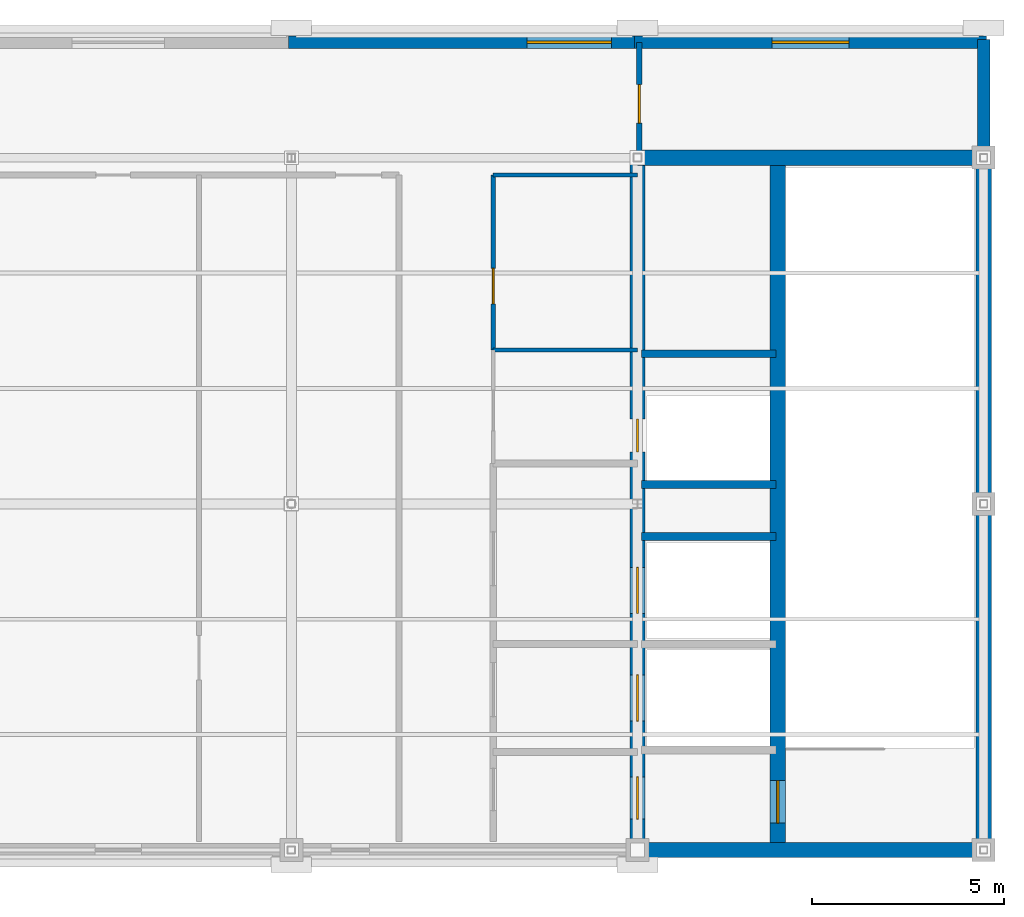
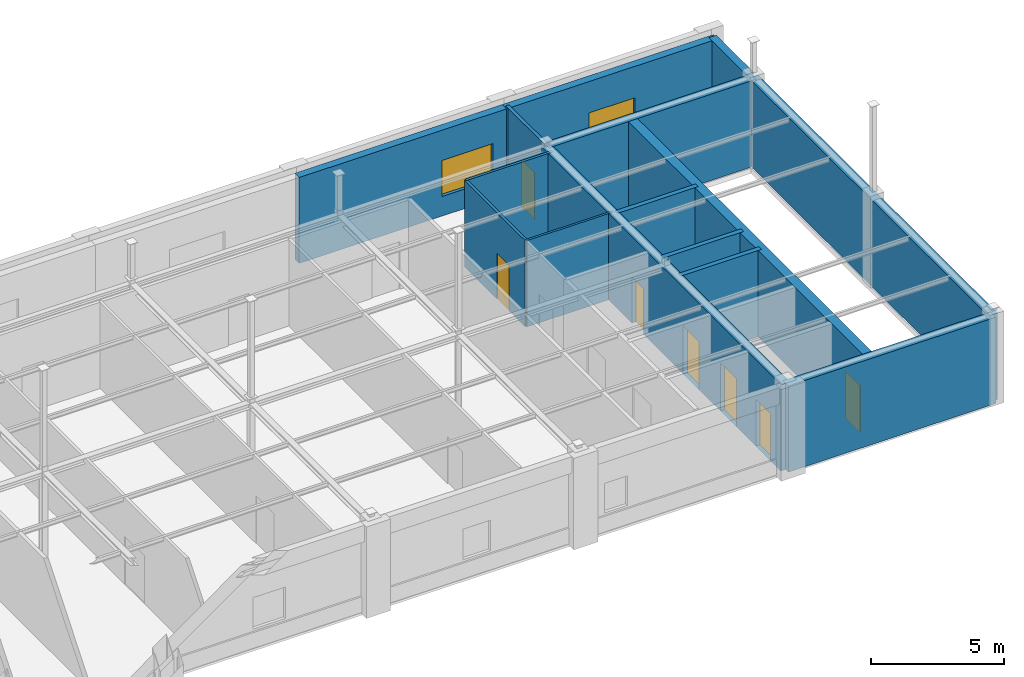
# One storey, part 12 of 13: 15 walls, 7 doors, 2 windows, 9 openings.
"""IFC4 building model written with IfcOpenShell, lengths in metres."""

import ifcopenshell
import ifcopenshell.guid

model = None  # the IFC model being written
_history = None  # IfcOwnerHistory: only IFC2X3 demands one
_inside = {}  # id of a spatial element -> (the spatial element, [elements in it])
_under = {}  # id of a project, library or spatial element -> (it, [spatial elements below it])
_declared = {}  # id of a project -> (the project, [libraries it declares])
_typed = {}  # id of a type object -> (the type object, [elements of that type])
_made_of = {}  # id of a material, layer set ... -> (it, [elements and type objects made of it])


def new_model(schema):
    """Start an empty IFC model of exactly this schema.

    Asked for "IFC4X3", IfcOpenShell would pick the latest addendum, in which some entities
    have other attributes; the version numbers below select the first issue.
    IFC2X3 requires an IfcOwnerHistory on every rooted entity: one is made here for all.
    """
    global model, _history
    if schema == "IFC4X3":
        model = ifcopenshell.file(schema_version=(4, 3, 0, 0))
    else:
        model = ifcopenshell.file(schema=schema)
    _inside.clear()
    _under.clear()
    _declared.clear()
    _typed.clear()
    _made_of.clear()
    _history = None
    if model.schema == "IFC2X3":
        org = make("IfcOrganization", Name="unknown")
        user = make(
            "IfcPersonAndOrganization",
            ThePerson=make("IfcPerson", FamilyName="unknown"),
            TheOrganization=org,
        )
        app = make(
            "IfcApplication",
            ApplicationDeveloper=org,
            Version="unknown",
            ApplicationFullName="unknown",
            ApplicationIdentifier="unknown",
        )
        _history = make(
            "IfcOwnerHistory",
            OwningUser=user,
            OwningApplication=app,
            ChangeAction="ADDED",
            CreationDate=0,
        )
    return model


def make(cls, **values):
    """One entity of the class cls with the attributes given. An attribute that is None is left unset."""
    return model.create_entity(
        cls, **{name: value for name, value in values.items() if value is not None}
    )


def rooted(cls, **values):
    """An entity with a GlobalId (a new one), such as an element, a storey or a relation."""
    return make(cls, GlobalId=ifcopenshell.guid.new(), OwnerHistory=_history, **values)


def si_unit(unit_type, name, prefix=None):
    """IfcSIUnit, for example si_unit("LENGTHUNIT", "METRE", prefix="MILLI")."""
    return make("IfcSIUnit", UnitType=unit_type, Prefix=prefix, Name=name)


def assignment(units):
    """IfcUnitAssignment: the units of a project."""
    return None if units is None else make("IfcUnitAssignment", Units=units)


def point(xyz):
    """IfcCartesianPoint."""
    return None if xyz is None else make("IfcCartesianPoint", Coordinates=xyz)


def direction(xyz):
    """IfcDirection."""
    return None if xyz is None else make("IfcDirection", DirectionRatios=xyz)


def frame(location, z_axis=None, x_axis=None):
    """IfcAxis2Placement3D, a coordinate frame: its origin and axes. An axis left out is left unset."""
    return make(
        "IfcAxis2Placement3D",
        Location=point(location),
        Axis=direction(z_axis),
        RefDirection=direction(x_axis),
    )


def frame_2d(location, x_axis=None):
    """IfcAxis2Placement2D, a coordinate frame in the plane: its origin and x axis."""
    return make(
        "IfcAxis2Placement2D", Location=point(location), RefDirection=direction(x_axis)
    )


def origin():
    """The frame at (0, 0, 0) with its axes left unset."""
    return frame((0.0, 0.0, 0.0))


def place(relative_to, where):
    """IfcLocalPlacement: puts the frame where relative to a parent placement (None: the world)."""
    return make(
        "IfcLocalPlacement", PlacementRelTo=relative_to, RelativePlacement=where
    )


def context(
    kind, dimensions, precision=None, world=None, true_north=None, identifier=None
):
    """IfcGeometricRepresentationContext, for example the 3D "Model" context."""
    return make(
        "IfcGeometricRepresentationContext",
        ContextIdentifier=identifier,
        ContextType=kind,
        CoordinateSpaceDimension=dimensions,
        Precision=precision,
        WorldCoordinateSystem=world,
        TrueNorth=true_north,
    )


def subcontext(parent, identifier, kind, view, scale=None):
    """IfcGeometricRepresentationSubContext, for example "Body" below "Model"."""
    return make(
        "IfcGeometricRepresentationSubContext",
        ContextIdentifier=identifier,
        ContextType=kind,
        ParentContext=parent,
        TargetScale=scale,
        TargetView=view,
    )


def project(units=None, contexts=None):
    """IfcProject with its units and contexts."""
    return rooted(
        "IfcProject",
        Name="project",
        RepresentationContexts=contexts,
        UnitsInContext=assignment(units),
    )


def spatial(cls, under=None, at=None, **own):
    """A site, building, storey or space (cls), placed at a placement, below another one or the project."""
    s = rooted(cls, ObjectPlacement=at, **own)
    if under is not None:
        _under.setdefault(under.id(), (under, []))[1].append(s)
    return s


def profile(cls, at=None, kind="AREA", **sizes):
    """A parametric profile (cls). Its sizes go by their IFC names, for example OverallWidth=200.0."""
    return make(cls, ProfileType=kind, Position=at, **sizes)


def rectangle(**sizes):
    """IfcRectangleProfileDef."""
    return profile("IfcRectangleProfileDef", **sizes)


def extrude(swept, where, along, depth):
    """IfcExtrudedAreaSolid: the profile swept, set in the frame where, extruded along a direction by depth."""
    return make(
        "IfcExtrudedAreaSolid",
        SweptArea=swept,
        Position=where,
        ExtrudedDirection=direction(along),
        Depth=depth,
    )


def shape(context_of_items, identifier, shape_type, items):
    """IfcShapeRepresentation: the items that make up one representation, for example the "Body"."""
    return make(
        "IfcShapeRepresentation",
        ContextOfItems=context_of_items,
        RepresentationIdentifier=identifier,
        RepresentationType=shape_type,
        Items=items,
    )


def material(Name=None, Category=None):
    """IfcMaterial."""
    return make("IfcMaterial", Name=Name, Category=Category)


def layer(
    of_material, thickness, ventilated=None, Name=None, Category=None, Priority=None
):
    """IfcMaterialLayer: one layer of a wall or slab, of a material (None: an air gap)."""
    return make(
        "IfcMaterialLayer",
        Material=of_material,
        LayerThickness=thickness,
        IsVentilated=ventilated,
        Name=Name,
        Category=Category,
        Priority=Priority,
    )


def layer_set(layers, Name=None):
    """IfcMaterialLayerSet."""
    return make("IfcMaterialLayerSet", MaterialLayers=layers, LayerSetName=Name)


def made_of(thing, what):
    """Note that an element or type object is made of a material, layer set ...; save() writes the relation."""
    if what is not None:
        _made_of.setdefault(what.id(), (what, []))[1].append(thing)
    return thing


def type_object(cls, material=None, **own):
    """A type object (cls), such as IfcWallType, which elements share."""
    return made_of(rooted(cls, **own), material)


def element(
    cls,
    number,
    at=None,
    inside=None,
    cuts=None,
    type_object=None,
    material=None,
    context=None,
    identifier="Body",
    shape_type=None,
    held_by="IfcProductDefinitionShape",
    body=None,
    shapes=None,
    **own,
):
    """One element of the class cls, such as IfcWall. Its Tag is "e" and its number.

    at: its placement. inside: the storey or other place that contains it. cuts: it is an
    opening in that element (IfcRelVoidsElement). A single representation is given by context,
    identifier, shape_type and body (its items); several are given by shapes. held_by: the class
    of the entity that holds the representations. save() writes the other relations.
    """
    e = rooted(cls, Tag="e%d" % number, ObjectPlacement=at, **own)
    if body is not None:
        shapes = [shape(context, identifier, shape_type, body)]
    if shapes is not None:
        e.Representation = make(held_by, Representations=shapes)
    if inside is not None:
        _inside.setdefault(inside.id(), (inside, []))[1].append(e)
    if cuts is not None:
        rooted(
            "IfcRelVoidsElement", RelatingBuildingElement=cuts, RelatedOpeningElement=e
        )
    if type_object is not None:
        _typed.setdefault(type_object.id(), (type_object, []))[1].append(e)
    return made_of(e, material)


def fill(opening, filler):
    """IfcRelFillsElement: the door or window that sits in an opening."""
    return rooted(
        "IfcRelFillsElement",
        RelatingOpeningElement=opening,
        RelatedBuildingElement=filler,
    )


def aggregate(whole, parts):
    """IfcRelAggregates: a whole, such as a stair, and the parts it consists of."""
    return rooted("IfcRelAggregates", RelatingObject=whole, RelatedObjects=parts)


def save(model, path):
    """Write the relations noted so far, then the file.

    IfcRelAggregates (storeys below a building ...), IfcRelContainedInSpatialStructure (elements
    in a storey), IfcRelDefinesByType, IfcRelAssociatesMaterial and IfcRelDeclares: one each for
    every whole, place, type object, material and project.
    """
    for whole, parts in _under.values():
        aggregate(whole, parts)
    for where, things in _inside.values():
        rooted(
            "IfcRelContainedInSpatialStructure",
            RelatedElements=things,
            RelatingStructure=where,
        )
    for kind, things in _typed.values():
        rooted("IfcRelDefinesByType", RelatedObjects=things, RelatingType=kind)
    for what, things in _made_of.values():
        rooted("IfcRelAssociatesMaterial", RelatedObjects=things, RelatingMaterial=what)
    for by, libraries in _declared.values():
        rooted("IfcRelDeclares", RelatingContext=by, RelatedDefinitions=libraries)
    model.write(path)


model = new_model("IFC4")

# Units and contexts
model_context = context("Model", 3, precision=1e-05, world=origin(), true_north=direction((0.0, 1.0)))
body_context = subcontext(model_context, "Body", "Model", "MODEL_VIEW")
ifc_project = project(units=[si_unit("LENGTHUNIT", "METRE"), si_unit("AREAUNIT", "SQUARE_METRE"), si_unit("VOLUMEUNIT", "CUBIC_METRE"), si_unit("PLANEANGLEUNIT", "RADIAN"), si_unit("MASSUNIT", "GRAM", prefix="KILO")], contexts=[model_context])

# Site, building, storey
site_placement = place(None, origin())
site = spatial("IfcSite", under=ifc_project, at=site_placement, CompositionType="ELEMENT")
building_placement = place(site_placement, origin())
building = spatial("IfcBuilding", under=site, at=building_placement, Name="Lykobir Media Centre", CompositionType="ELEMENT")
storey_placement = place(building_placement, frame((0.0, 0.0, 36.0)))
storey = spatial("IfcBuildingStorey", under=building, at=storey_placement, Name="L08", CompositionType="ELEMENT", Elevation=36.0)

# Wall
ifc_material_1 = material(Name="Architectural Ochre Brick", Category="masonry")
ifc_layer_1 = layer(ifc_material_1, 0.330078125, Name="Architectural Ochre Brick")
ifc_layer_set_1 = layer_set([ifc_layer_1], Name="Architectural Ochre Brick")
wall_type_1 = type_object("IfcWallType", Name="EW-BRK-330", PredefinedType="STANDARD", material=ifc_layer_set_1)
wall_1_placement = place(storey_placement, frame((81.0, 18.284912109375, 0.0), z_axis=(0.0, 0.0, 1.0), x_axis=(0.0, 1.0, 0.0)))
element("IfcWall", 1, at=wall_1_placement, inside=storey, type_object=wall_type_1, Name="Exterior wall WALL-L08-0372", PredefinedType="STANDARD", context=body_context, shape_type="SweptSolid", body=[
    extrude(rectangle(XDim=2.7900390625, YDim=0.330078125, at=frame_2d((1.39501953125, 0.0))), origin(), (0.0, 0.0, 1.0), 3.93994140625),
])

# Wall, opening, window
wall_2_placement = place(storey_placement, frame((72.074951171875, 21.0, 0.0), z_axis=(0.0, 0.0, 1.0), x_axis=(-1.0, 0.0, 0.0)))
wall_2 = element("IfcWall", 2, at=wall_2_placement, inside=storey, type_object=wall_type_1, Name="Exterior wall WALL-L08-0377", PredefinedType="STANDARD", context=body_context, shape_type="SweptSolid", body=[
    extrude(rectangle(XDim=9.14990234375, YDim=0.330078125, at=frame_2d((4.574951171875, 0.0))), origin(), (0.0, 0.0, 1.0), 3.93994140625),
])
opening_1_placement = place(wall_2_placement, frame((0.75, 0.0, 0.89990234375)))
opening_1 = element("IfcOpeningElement", 3, at=opening_1_placement, cuts=wall_2, Name="Opening WN-2200x1650", PredefinedType="OPENING", context=body_context, shape_type="SweptSolid", body=[
    extrude(rectangle(XDim=2.199951171875, YDim=1.64990234375, at=frame_2d((1.10009765625, 0.824951171875))), frame((0.0, 0.175048828125, 0.0), z_axis=(0.0, -1.0, 0.0), x_axis=(1.0, 0.0, 0.0)), (0.0, 0.0, 1.0), 0.35009765625),
])
ifc_material_2 = material(Name="Low-E Laminated Triple Glazing", Category="glass")
window_type_1 = type_object("IfcWindowType", Name="WN-2200x1650", PartitioningType="SINGLE_PANEL", PredefinedType="WINDOW", material=ifc_material_2)
window_1_placement = place(opening_1_placement, origin())
window_1 = element("IfcWindow", 4, at=window_1_placement, inside=storey, type_object=window_type_1, Name="Window WIN-L08-0177", OverallHeight=1.64990234375, OverallWidth=2.199951171875, PartitioningType="SINGLE_PANEL", PredefinedType="WINDOW", context=body_context, shape_type="SweptSolid", body=[
    extrude(rectangle(XDim=2.199951171875, YDim=1.64990234375, at=frame_2d((1.10009765625, 0.824951171875))), frame((0.0, 0.030029296875, 0.0), z_axis=(0.0, -1.0, 0.0), x_axis=(1.0, 0.0, 0.0)), (0.0, 0.0, 1.0), 0.06005859375),
])
fill(opening_1, window_1)

wall_3_placement = place(storey_placement, frame((81.074951171875, 21.0, 0.0), z_axis=(0.0, 0.0, 1.0), x_axis=(-1.0, 0.0, 0.0)))
wall_3 = element("IfcWall", 5, at=wall_3_placement, inside=storey, type_object=wall_type_1, Name="Exterior wall WALL-L08-0378", PredefinedType="STANDARD", context=body_context, shape_type="SweptSolid", body=[
    extrude(rectangle(XDim=9.14990234375, YDim=0.330078125, at=frame_2d((4.574951171875, 0.0))), origin(), (0.0, 0.0, 1.0), 3.93994140625),
])
opening_2_placement = place(wall_3_placement, frame((3.574951171875, 0.0, 0.89990234375)))
opening_2 = element("IfcOpeningElement", 6, at=opening_2_placement, cuts=wall_3, Name="Opening WN-2000x1600", PredefinedType="OPENING", context=body_context, shape_type="SweptSolid", body=[
    extrude(rectangle(XDim=2.0, YDim=1.60009765625, at=frame_2d((1.0, 0.800048828125))), frame((0.0, 0.175048828125, 0.0), z_axis=(0.0, -1.0, 0.0), x_axis=(1.0, 0.0, 0.0)), (0.0, 0.0, 1.0), 0.35009765625),
])
window_type_2 = type_object("IfcWindowType", Name="WN-2000x1600", PartitioningType="SINGLE_PANEL", PredefinedType="WINDOW", material=ifc_material_2)
window_2_placement = place(opening_2_placement, origin())
window_2 = element("IfcWindow", 7, at=window_2_placement, inside=storey, type_object=window_type_2, Name="Window WIN-L08-0178", OverallHeight=1.60009765625, OverallWidth=2.0, PartitioningType="SINGLE_PANEL", PredefinedType="WINDOW", context=body_context, shape_type="SweptSolid", body=[
    extrude(rectangle(XDim=2.0, YDim=1.60009765625, at=frame_2d((1.0, 0.800048828125))), frame((0.0, 0.030029296875, 0.0), z_axis=(0.0, -1.0, 0.0), x_axis=(1.0, 0.0, 0.0)), (0.0, 0.0, 1.0), 0.06005859375),
])
fill(opening_2, window_2)

# Wall, opening, door
ifc_material_3 = material(Name="Acoustic Gypsum Board", Category="gypsum")
ifc_layer_2 = layer(ifc_material_3, 0.14501953125, Name="Acoustic Gypsum Board")
ifc_layer_set_2 = layer_set([ifc_layer_2], Name="Acoustic Gypsum Board")
wall_type_2 = type_object("IfcWallType", Name="IW-COR-145", PredefinedType="PARTITIONING", material=ifc_layer_set_2)
wall_4_placement = place(storey_placement, frame((72.050048828125, 18.0, 0.0), z_axis=(0.0, 0.0, 1.0), x_axis=(0.0, 1.0, 0.0)))
wall_4 = element("IfcWall", 8, at=wall_4_placement, inside=storey, type_object=wall_type_2, Name="Wall IWALL-L08-0797", PredefinedType="PARTITIONING", context=body_context, shape_type="SweptSolid", body=[
    extrude(rectangle(XDim=3.0, YDim=0.14501953125, at=frame_2d((1.5, 0.0))), origin(), (0.0, 0.0, 1.0), 3.9599609375),
])
opening_3_placement = place(wall_4_placement, frame((0.89990234375, 0.0, 0.0)))
opening_3 = element("IfcOpeningElement", 9, at=opening_3_placement, cuts=wall_4, Name="Opening D-L08-ENDE", PredefinedType="OPENING", context=body_context, shape_type="SweptSolid", body=[
    extrude(rectangle(XDim=1.0, YDim=2.139892578125, at=frame_2d((0.5, 1.06982421875))), frame((0.0, 0.08251953125, 0.0), z_axis=(0.0, -1.0, 0.0), x_axis=(1.0, 0.0, 0.0)), (0.0, 0.0, 1.0), 0.1650390625),
])
ifc_material_4 = material(Name="Acoustic Timber Panelling", Category="wood")
door_type_1 = type_object("IfcDoorType", Name="FD-1000x2140", OperationType="NOTDEFINED", PredefinedType="DOOR", material=ifc_material_4)
door_1_placement = place(opening_3_placement, origin())
door_1 = element("IfcDoor", 10, at=door_1_placement, inside=storey, type_object=door_type_1, Name="Door D-L08-ENDE", OperationType="SINGLE_SWING_LEFT", OverallHeight=2.139892578125, OverallWidth=1.0, PredefinedType="DOOR", context=body_context, shape_type="SweptSolid", body=[
    extrude(rectangle(XDim=1.0, YDim=2.139892578125, at=frame_2d((0.5, 1.06982421875))), frame((0.0, 0.02490234375, 0.0), z_axis=(0.0, -1.0, 0.0), x_axis=(1.0, 0.0, 0.0)), (0.0, 0.0, 1.0), 0.050048828125),
])
fill(opening_3, door_1)

ifc_layer_3 = layer(ifc_material_3, 0.110107421875, Name="Acoustic Gypsum Board")
ifc_layer_set_3 = layer_set([ifc_layer_3], Name="Acoustic Gypsum Board")
wall_type_3 = type_object("IfcWallType", Name="IW-RM-110", PredefinedType="PARTITIONING", material=ifc_layer_set_3)
wall_5_placement = place(storey_placement, frame((68.25, 13.0, 0.0), z_axis=(0.0, 0.0, 1.0), x_axis=(0.0, 1.0, 0.0)))
wall_5 = element("IfcWall", 11, at=wall_5_placement, inside=storey, type_object=wall_type_3, Name="Wall IWALL-L08-0798", PredefinedType="PARTITIONING", context=body_context, shape_type="SweptSolid", body=[
    extrude(rectangle(XDim=4.550048828125, YDim=0.110107421875, at=frame_2d((2.27490234375, 0.0))), origin(), (0.0, 0.0, 1.0), 3.9599609375),
])
opening_4_placement = place(wall_5_placement, frame((1.199951171875, 0.0, 0.0)))
opening_4 = element("IfcOpeningElement", 12, at=opening_4_placement, cuts=wall_5, Name="Opening D-L08-UP5", PredefinedType="OPENING", context=body_context, shape_type="SweptSolid", body=[
    extrude(rectangle(XDim=0.919921875, YDim=2.10009765625, at=frame_2d((0.4599609375, 1.050048828125))), frame((0.0, 0.06494140625, 0.0), z_axis=(0.0, -1.0, 0.0), x_axis=(1.0, 0.0, 0.0)), (0.0, 0.0, 1.0), 0.130126953125),
])
door_type_2 = type_object("IfcDoorType", Name="ID-0920x2100", OperationType="NOTDEFINED", PredefinedType="DOOR", material=ifc_material_4)
door_2_placement = place(opening_4_placement, origin())
door_2 = element("IfcDoor", 13, at=door_2_placement, inside=storey, type_object=door_type_2, Name="Door D-L08-UP5", OperationType="SINGLE_SWING_RIGHT", OverallHeight=2.10009765625, OverallWidth=0.919921875, PredefinedType="DOOR", context=body_context, shape_type="SweptSolid", body=[
    extrude(rectangle(XDim=0.919921875, YDim=2.10009765625, at=frame_2d((0.4599609375, 1.050048828125))), frame((0.0, 0.02490234375, 0.0), z_axis=(0.0, -1.0, 0.0), x_axis=(1.0, 0.0, 0.0)), (0.0, 0.0, 1.0), 0.050048828125),
])
fill(opening_4, door_2)

# Walls
wall_6_placement = place(storey_placement, frame((68.25, 17.550048828125, 0.0), z_axis=(0.0, 0.0, 1.0), x_axis=(1.0, 0.0, 0.0)))
element("IfcWall", 14, at=wall_6_placement, inside=storey, type_object=wall_type_3, Name="Wall IWALL-L08-0799", PredefinedType="PARTITIONING", context=body_context, shape_type="SweptSolid", body=[
    extrude(rectangle(XDim=3.75, YDim=0.110107421875, at=frame_2d((1.875, 0.0))), origin(), (0.0, 0.0, 1.0), 3.9599609375),
])
ifc_material_5 = material(Name="Concrete C30/37", Category="concrete")
ifc_layer_4 = layer(ifc_material_5, 0.199951171875, Name="Concrete C30/37")
ifc_layer_set_4 = layer_set([ifc_layer_4], Name="Concrete C30/37")
wall_type_4 = type_object("IfcWallType", Name="IW-SHAFT-200", PredefinedType="PARTITIONING", material=ifc_layer_set_4)
for number, where, z_axis, x_axis, name in (
    (15, (72.10009765625, 8.14990234375, 0.0), (0.0, 0.0, 1.0), (1.0, 0.0, 0.0), "Wall IWALL-L08-0334"),
    (16, (72.10009765625, 9.5, 0.0), (0.0, 0.0, 1.0), (1.0, 0.0, 0.0), "Wall IWALL-L08-0335"),
    (17, (72.10009765625, 12.89990234375, 0.0), (0.0, 0.0, 1.0), (1.0, 0.0, 0.0), "Wall IWALL-L08-0336"),
):
    element("IfcWall", number, at=place(storey_placement, frame(where, z_axis=z_axis, x_axis=x_axis)), inside=storey, type_object=wall_type_4, Name=name, PredefinedType="PARTITIONING", context=body_context, shape_type="SweptSolid", body=[
        extrude(rectangle(XDim=3.5, YDim=0.199951171875, at=frame_2d((1.75, 0.0))), origin(), (0.0, 0.0, 1.0), 3.9599609375),
    ])
ifc_layer_5 = layer(ifc_material_3, 0.094970703125, Name="Acoustic Gypsum Board")
ifc_layer_set_5 = layer_set([ifc_layer_5], Name="Acoustic Gypsum Board")
wall_type_5 = type_object("IfcWallType", Name="IW-WC-095", PredefinedType="PARTITIONING", material=ifc_layer_set_5)
wall_7_placement = place(storey_placement, frame((68.25, 13.0, 0.0), z_axis=(0.0, 0.0, 1.0), x_axis=(1.0, 0.0, 0.0)))
element("IfcWall", 18, at=wall_7_placement, inside=storey, type_object=wall_type_5, Name="Wall IWALL-L08-0342", PredefinedType="PARTITIONING", context=body_context, shape_type="SweptSolid", body=[
    extrude(rectangle(XDim=3.75, YDim=0.094970703125, at=frame_2d((1.875, 0.0))), origin(), (0.0, 0.0, 1.0), 3.9599609375),
])

# Wall, openings, doors
ifc_material_6 = material(Name="Concrete C40/50", Category="concrete")
ifc_layer_6 = layer(ifc_material_6, 0.39990234375, Name="Concrete C40/50")
ifc_layer_set_6 = layer_set([ifc_layer_6], Name="Concrete C40/50")
wall_type_6 = type_object("IfcWallType", Name="SW-CORE-400", PredefinedType="SHEAR", material=ifc_layer_set_6)
wall_8_placement = place(storey_placement, frame((72.0, 18.0, 0.0), z_axis=(0.0, 0.0, 1.0), x_axis=(0.0, -1.0, 0.0)))
wall_8 = element("IfcWall", 19, at=wall_8_placement, inside=storey, type_object=wall_type_6, Name="Wall IWALL-L08-0330", PredefinedType="SHEAR", context=body_context, shape_type="SweptSolid", body=[
    extrude(rectangle(XDim=18.0, YDim=0.39990234375, at=frame_2d((9.0, 0.0))), origin(), (0.0, 0.0, 1.0), 3.9599609375),
])
opening_5_placement = place(wall_8_placement, frame((16.10009765625, 0.0, 0.0)))
opening_5 = element("IfcOpeningElement", 20, at=opening_5_placement, cuts=wall_8, Name="Opening D-L08-C2VB", PredefinedType="OPENING", context=body_context, shape_type="SweptSolid", body=[
    extrude(rectangle(XDim=1.10009765625, YDim=2.159912109375, at=frame_2d((0.550048828125, 1.080078125))), frame((0.0, 0.2099609375, 0.0), z_axis=(0.0, -1.0, 0.0), x_axis=(1.0, 0.0, 0.0)), (0.0, 0.0, 1.0), 0.419921875),
])
opening_6_placement = place(wall_8_placement, frame((13.449951171875, 0.0, 0.0)))
opening_6 = element("IfcOpeningElement", 21, at=opening_6_placement, cuts=wall_8, Name="Opening LD-L08-PL-2", PredefinedType="OPENING", context=body_context, shape_type="SweptSolid", body=[
    extrude(rectangle(XDim=1.199951171875, YDim=2.199951171875, at=frame_2d((0.60009765625, 1.10009765625))), frame((0.0, 0.2099609375, 0.0), z_axis=(0.0, -1.0, 0.0), x_axis=(1.0, 0.0, 0.0)), (0.0, 0.0, 1.0), 0.419921875),
])
opening_7_placement = place(wall_8_placement, frame((10.64990234375, 0.0, 0.0)))
opening_7 = element("IfcOpeningElement", 22, at=opening_7_placement, cuts=wall_8, Name="Opening LD-L08-FL-2", PredefinedType="OPENING", context=body_context, shape_type="SweptSolid", body=[
    extrude(rectangle(XDim=1.199951171875, YDim=2.199951171875, at=frame_2d((0.60009765625, 1.10009765625))), frame((0.0, 0.2099609375, 0.0), z_axis=(0.0, -1.0, 0.0), x_axis=(1.0, 0.0, 0.0)), (0.0, 0.0, 1.0), 0.419921875),
])
opening_8_placement = place(wall_8_placement, frame((6.800048828125, 0.0, 0.0)))
opening_8 = element("IfcOpeningElement", 23, at=opening_8_placement, cuts=wall_8, Name="Opening D-L08-C2RS", PredefinedType="OPENING", context=body_context, shape_type="SweptSolid", body=[
    extrude(rectangle(XDim=0.85009765625, YDim=2.10009765625, at=frame_2d((0.425048828125, 1.050048828125))), frame((0.0, 0.2099609375, 0.0), z_axis=(0.0, -1.0, 0.0), x_axis=(1.0, 0.0, 0.0)), (0.0, 0.0, 1.0), 0.419921875),
])
ifc_material_7 = material(Name="Anodized Aluminium AW-6060", Category="aluminium")
door_type_3 = type_object("IfcDoorType", Name="FD-0850x2100", OperationType="NOTDEFINED", PredefinedType="DOOR", material=ifc_material_7)
door_3_placement = place(opening_8_placement, origin())
door_3 = element("IfcDoor", 24, at=door_3_placement, inside=storey, type_object=door_type_3, Name="Riser access door C2 L08", OperationType="SINGLE_SWING_LEFT", OverallHeight=2.10009765625, OverallWidth=0.85009765625, PredefinedType="DOOR", context=body_context, shape_type="SweptSolid", body=[
    extrude(rectangle(XDim=0.85009765625, YDim=2.10009765625, at=frame_2d((0.425048828125, 1.050048828125))), frame((0.0, 0.02490234375, 0.0), z_axis=(0.0, -1.0, 0.0), x_axis=(1.0, 0.0, 0.0)), (0.0, 0.0, 1.0), 0.050048828125),
])
fill(opening_8, door_3)
door_type_4 = type_object("IfcDoorType", Name="FD-1100x2160", OperationType="NOTDEFINED", PredefinedType="DOOR", material=ifc_material_4)
door_4_placement = place(opening_5_placement, origin())
door_4 = element("IfcDoor", 25, at=door_4_placement, inside=storey, type_object=door_type_4, Name="Door D-L08-C2VB", OperationType="SINGLE_SWING_RIGHT", OverallHeight=2.159912109375, OverallWidth=1.10009765625, PredefinedType="DOOR", context=body_context, shape_type="SweptSolid", body=[
    extrude(rectangle(XDim=1.10009765625, YDim=2.159912109375, at=frame_2d((0.550048828125, 1.080078125))), frame((0.0, 0.02490234375, 0.0), z_axis=(0.0, -1.0, 0.0), x_axis=(1.0, 0.0, 0.0)), (0.0, 0.0, 1.0), 0.050048828125),
])
fill(opening_5, door_4)
door_type_5 = type_object("IfcDoorType", Name="LD-1200x2200", OperationType="NOTDEFINED", PredefinedType="DOOR", material=ifc_material_7)
door_5_placement = place(opening_6_placement, origin())
door_5 = element("IfcDoor", 26, at=door_5_placement, inside=storey, type_object=door_type_5, Name="Lift landing door PL-2 L08", OperationType="SLIDING_TO_LEFT", OverallHeight=2.199951171875, OverallWidth=1.199951171875, PredefinedType="DOOR", context=body_context, shape_type="SweptSolid", body=[
    extrude(rectangle(XDim=1.199951171875, YDim=2.199951171875, at=frame_2d((0.60009765625, 1.10009765625))), frame((0.0, 0.02490234375, 0.0), z_axis=(0.0, -1.0, 0.0), x_axis=(1.0, 0.0, 0.0)), (0.0, 0.0, 1.0), 0.050048828125),
])
fill(opening_6, door_5)
door_6_placement = place(opening_7_placement, origin())
door_6 = element("IfcDoor", 27, at=door_6_placement, inside=storey, type_object=door_type_5, Name="Firefighting lift landing door FL-2 L08", OperationType="SLIDING_TO_LEFT", OverallHeight=2.199951171875, OverallWidth=1.199951171875, PredefinedType="DOOR", context=body_context, shape_type="SweptSolid", body=[
    extrude(rectangle(XDim=1.199951171875, YDim=2.199951171875, at=frame_2d((0.60009765625, 1.10009765625))), frame((0.0, 0.02490234375, 0.0), z_axis=(0.0, -1.0, 0.0), x_axis=(1.0, 0.0, 0.0)), (0.0, 0.0, 1.0), 0.050048828125),
])
fill(opening_7, door_6)

# Wall, opening, door
wall_9_placement = place(storey_placement, frame((75.64990234375, 0.0, 0.0), z_axis=(0.0, 0.0, 1.0), x_axis=(0.0, 1.0, 0.0)))
wall_9 = element("IfcWall", 28, at=wall_9_placement, inside=storey, type_object=wall_type_6, Name="Wall IWALL-L08-0331", PredefinedType="SHEAR", context=body_context, shape_type="SweptSolid", body=[
    extrude(rectangle(XDim=18.0, YDim=0.39990234375, at=frame_2d((9.0, 0.0))), origin(), (0.0, 0.0, 1.0), 3.9599609375),
])
opening_9_placement = place(wall_9_placement, frame((0.699951171875, 0.0, 0.0)))
opening_9 = element("IfcOpeningElement", 29, at=opening_9_placement, cuts=wall_9, Name="Opening D-L08-C2ST", PredefinedType="OPENING", context=body_context, shape_type="SweptSolid", body=[
    extrude(rectangle(XDim=1.10009765625, YDim=2.159912109375, at=frame_2d((0.550048828125, 1.080078125))), frame((0.0, 0.2099609375, 0.0), z_axis=(0.0, -1.0, 0.0), x_axis=(1.0, 0.0, 0.0)), (0.0, 0.0, 1.0), 0.419921875),
])
door_7_placement = place(opening_9_placement, origin())
door_7 = element("IfcDoor", 30, at=door_7_placement, inside=storey, type_object=door_type_4, Name="L08 ST-2 stairwell fire door", OperationType="SINGLE_SWING_LEFT", OverallHeight=2.159912109375, OverallWidth=1.10009765625, PredefinedType="DOOR", context=body_context, shape_type="SweptSolid", body=[
    extrude(rectangle(XDim=1.10009765625, YDim=2.159912109375, at=frame_2d((0.550048828125, 1.080078125))), frame((0.0, 0.02490234375, 0.0), z_axis=(0.0, -1.0, 0.0), x_axis=(1.0, 0.0, 0.0)), (0.0, 0.0, 1.0), 0.050048828125),
])
fill(opening_9, door_7)

# Walls
ifc_layer_7 = layer(ifc_material_6, 0.39990234375, Name="Concrete C40/50")
ifc_layer_set_7 = layer_set([ifc_layer_7], Name="Concrete C40/50")
wall_type_7 = type_object("IfcWallType", Name="SW-CORE-400-E", PredefinedType="SHEAR", material=ifc_layer_set_7)
wall_10_placement = place(storey_placement, frame((72.0, 0.0, 0.0), z_axis=(0.0, 0.0, 1.0), x_axis=(1.0, 0.0, 0.0)))
element("IfcWall", 31, at=wall_10_placement, inside=storey, type_object=wall_type_7, Name="Wall IWALL-L08-0327", PredefinedType="SHEAR", context=body_context, shape_type="SweptSolid", body=[
    extrude(rectangle(XDim=9.0, YDim=0.39990234375, at=frame_2d((4.5, 0.0))), origin(), (0.0, 0.0, 1.0), 3.9599609375),
])
wall_11_placement = place(storey_placement, frame((81.0, 0.0, 0.0), z_axis=(0.0, 0.0, 1.0), x_axis=(0.0, 1.0, 0.0)))
element("IfcWall", 32, at=wall_11_placement, inside=storey, type_object=wall_type_7, Name="Wall IWALL-L08-0328", PredefinedType="SHEAR", context=body_context, shape_type="SweptSolid", body=[
    extrude(rectangle(XDim=18.0, YDim=0.39990234375, at=frame_2d((9.0, 0.0))), origin(), (0.0, 0.0, 1.0), 3.9599609375),
])
wall_12_placement = place(storey_placement, frame((81.0, 18.0, 0.0), z_axis=(0.0, 0.0, 1.0), x_axis=(-1.0, 0.0, 0.0)))
element("IfcWall", 33, at=wall_12_placement, inside=storey, type_object=wall_type_7, Name="Wall IWALL-L08-0329", PredefinedType="SHEAR", context=body_context, shape_type="SweptSolid", body=[
    extrude(rectangle(XDim=9.0, YDim=0.39990234375, at=frame_2d((4.5, 0.0))), origin(), (0.0, 0.0, 1.0), 3.9599609375),
])

save(model, "model.ifc")
